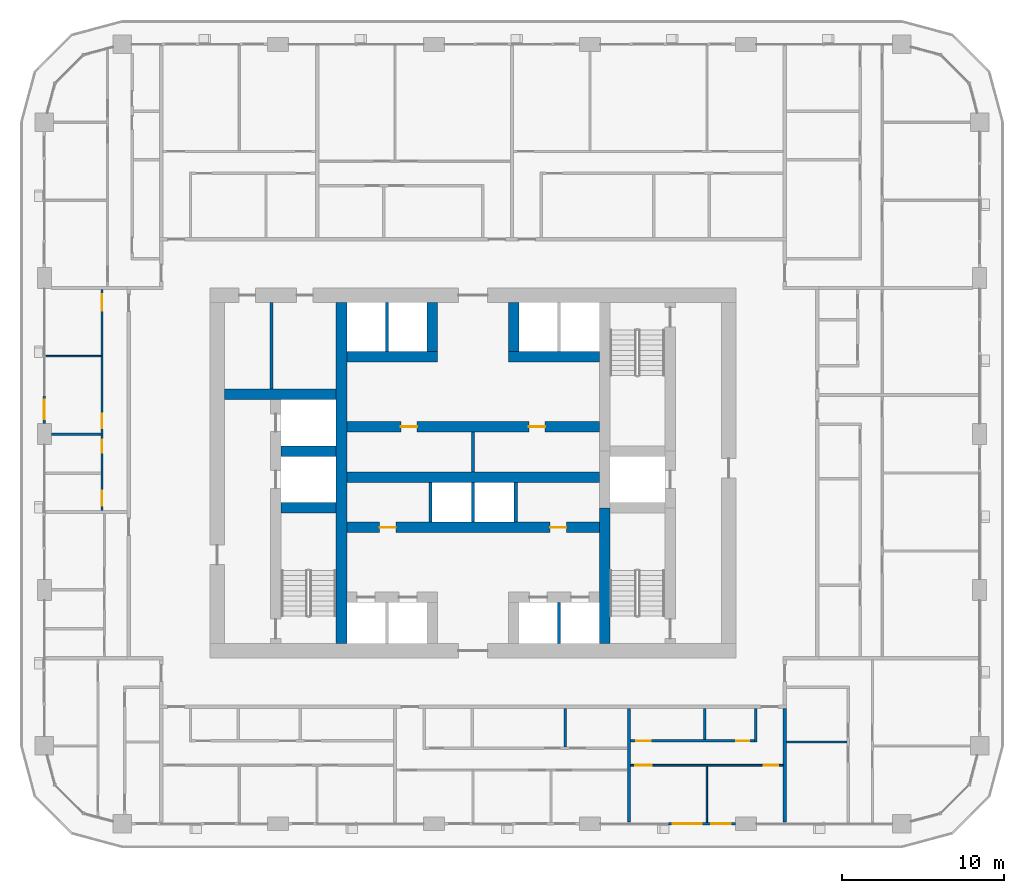
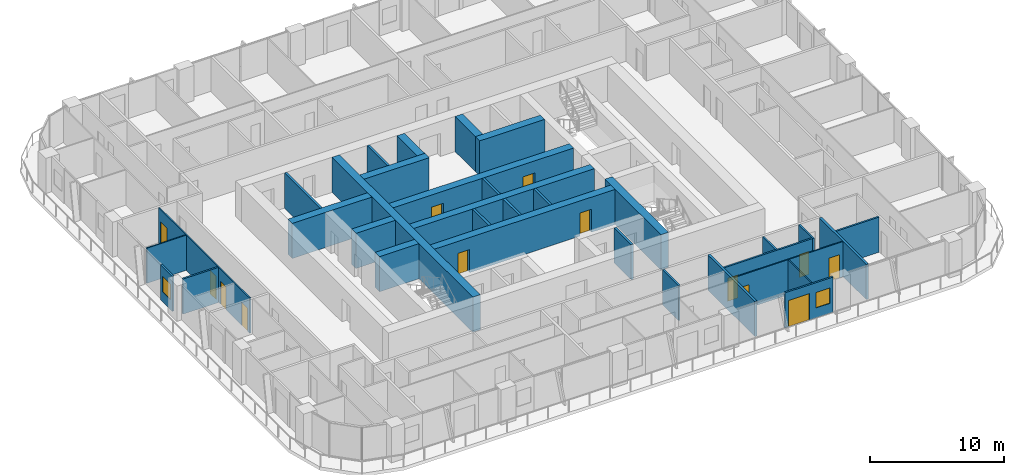
# One storey, part 11 of 21: 33 walls, 13 doors, 2 windows, 15 openings.
"""IFC4 building model written with IfcOpenShell, lengths in metres."""

from ifc_helpers import new_model, si_unit, direction, frame, frame_2d, origin, place, context, subcontext, project, spatial, rectangle, extrude, material, layer, layer_set, type_object, element, fill, save


model = new_model("IFC4")

# Units and contexts
model_context = context("Model", 3, precision=1e-05, world=origin(), true_north=direction((0.0, 1.0)))
body_context = subcontext(model_context, "Body", "Model", "MODEL_VIEW")
ifc_project = project(units=[si_unit("LENGTHUNIT", "METRE"), si_unit("AREAUNIT", "SQUARE_METRE"), si_unit("VOLUMEUNIT", "CUBIC_METRE"), si_unit("PLANEANGLEUNIT", "RADIAN"), si_unit("MASSUNIT", "GRAM", prefix="KILO")], contexts=[model_context])

# Site, building, storey
site_placement = place(None, origin())
site = spatial("IfcSite", under=ifc_project, at=site_placement, CompositionType="ELEMENT")
building_placement = place(site_placement, origin())
building = spatial("IfcBuilding", under=site, at=building_placement, Name="Madar Terraces", CompositionType="ELEMENT")
storey_placement = place(building_placement, frame((0.0, 0.0, 106.699951171875)))
storey = spatial("IfcBuildingStorey", under=building, at=storey_placement, Name="L27", CompositionType="ELEMENT", Elevation=106.699951171875)

# Walls
ifc_material_1 = material(Name="Concrete C80/95", Category="concrete")
ifc_layer_1 = layer(ifc_material_1, 0.64990234375)
ifc_layer_set_1 = layer_set([ifc_layer_1], Name="Concrete C80/95 (CIW2 RC wall 650)")
wall_type_1 = type_object("IfcWallType", Name="CIW2 RC wall 650", PredefinedType="SHEAR", material=ifc_layer_set_1)
wall_1_placement = place(storey_placement, frame((23.10009765625, 15.89990234375, 0.0), z_axis=(0.0, 0.0, 1.0), x_axis=(0.0, 1.0, 0.0)))
element("IfcWall", 1, at=wall_1_placement, inside=storey, type_object=wall_type_1, Name="CORE SHAFT WALL", PredefinedType="SHEAR", context=body_context, shape_type="SweptSolid", body=[
    extrude(rectangle(XDim=21.0, YDim=0.64990234375, at=frame_2d((10.5, 0.0))), origin(), (0.0, 0.0, 1.0), 3.199951171875),
])
wall_2_placement = place(storey_placement, frame((39.300048828125, 15.89990234375, 0.0), z_axis=(0.0, 0.0, 1.0), x_axis=(0.0, 1.0, 0.0)))
element("IfcWall", 2, at=wall_2_placement, inside=storey, type_object=wall_type_1, Name="CORE SHAFT WALL", PredefinedType="SHEAR", context=body_context, shape_type="SweptSolid", body=[
    extrude(rectangle(XDim=8.35009765625, YDim=0.64990234375, at=frame_2d((4.175048828125, 0.0))), origin(), (0.0, 0.0, 1.0), 3.199951171875),
])
for number, where, z_axis, x_axis, name in (
    (3, (19.375, 24.25, 0.0), (0.0, 0.0, 1.0), (1.0, 0.0, 0.0), "CORE SHAFT WALL"),
    (4, (19.375, 27.75, 0.0), (0.0, 0.0, 1.0), (1.0, 0.0, 0.0), "CORE SHAFT WALL"),
):
    element("IfcWall", number, at=place(storey_placement, frame(where, z_axis=z_axis, x_axis=x_axis)), inside=storey, type_object=wall_type_1, Name=name, PredefinedType="SHEAR", context=body_context, shape_type="SweptSolid", body=[
        extrude(rectangle(XDim=3.39990234375, YDim=0.64990234375, at=frame_2d((1.699951171875, 0.0))), origin(), (0.0, 0.0, 1.0), 3.199951171875),
    ])
wall_3_placement = place(storey_placement, frame((15.89990234375, 31.25, 0.0), z_axis=(0.0, 0.0, 1.0), x_axis=(1.0, 0.0, 0.0)))
element("IfcWall", 5, at=wall_3_placement, inside=storey, type_object=wall_type_1, Name="CORE SHAFT WALL", PredefinedType="SHEAR", context=body_context, shape_type="SweptSolid", body=[
    extrude(rectangle(XDim=6.875, YDim=0.64990234375, at=frame_2d((3.4375, 0.0))), origin(), (0.0, 0.0, 1.0), 3.199951171875),
])

# Wall, openings, doors
wall_4_placement = place(storey_placement, frame((23.425048828125, 23.050048828125, 0.0), z_axis=(0.0, 0.0, 1.0), x_axis=(1.0, 0.0, 0.0)))
wall_4 = element("IfcWall", 6, at=wall_4_placement, inside=storey, type_object=wall_type_1, Name="CORE SHAFT WALL", PredefinedType="SHEAR", context=body_context, shape_type="SweptSolid", body=[
    extrude(rectangle(XDim=15.550048828125, YDim=0.64990234375, at=frame_2d((7.77490234375, 0.0))), origin(), (0.0, 0.0, 1.0), 3.199951171875),
])
opening_1_placement = place(wall_4_placement, frame((2.02490234375, 0.0, 0.0)))
opening_1 = element("IfcOpeningElement", 7, at=opening_1_placement, cuts=wall_4, Name="Opening KD2", PredefinedType="OPENING", context=body_context, shape_type="SweptSolid", body=[
    extrude(rectangle(XDim=1.0, YDim=2.10009765625, at=frame_2d((0.5, 1.050048828125))), frame((0.0, 0.3349609375, 0.0), z_axis=(0.0, -1.0, 0.0), x_axis=(1.0, 0.0, 0.0)), (0.0, 0.0, 1.0), 0.669921875),
])
opening_2_placement = place(wall_4_placement, frame((12.52490234375, 0.0, 0.0)))
opening_2 = element("IfcOpeningElement", 8, at=opening_2_placement, cuts=wall_4, Name="Opening KD2", PredefinedType="OPENING", context=body_context, shape_type="SweptSolid", body=[
    extrude(rectangle(XDim=1.0, YDim=2.10009765625, at=frame_2d((0.5, 1.050048828125))), frame((0.0, 0.3349609375, 0.0), z_axis=(0.0, -1.0, 0.0), x_axis=(1.0, 0.0, 0.0)), (0.0, 0.0, 1.0), 0.669921875),
])
ifc_material_2 = material(Name="Steel door leaf", Category="steel")
door_type_1 = type_object("IfcDoorType", Name="Service room door 1000 x 2100", OperationType="NOTDEFINED", PredefinedType="DOOR", material=ifc_material_2)
door_1_placement = place(opening_1_placement, frame((1.0, 0.0, 0.0), z_axis=(0.0, 0.0, 1.0), x_axis=(-1.0, 0.0, 0.0)))
door_1 = element("IfcDoor", 9, at=door_1_placement, inside=storey, type_object=door_type_1, Name="SERVICE ROOM DOOR", OperationType="SINGLE_SWING_RIGHT", OverallHeight=2.10009765625, OverallWidth=1.0, PredefinedType="DOOR", context=body_context, shape_type="SweptSolid", body=[
    extrude(rectangle(XDim=1.0, YDim=2.10009765625, at=frame_2d((0.5, 1.050048828125))), frame((0.0, 0.02490234375, 0.0), z_axis=(0.0, -1.0, 0.0), x_axis=(1.0, 0.0, 0.0)), (0.0, 0.0, 1.0), 0.050048828125),
])
fill(opening_1, door_1)
door_2_placement = place(opening_2_placement, frame((1.0, 0.0, 0.0), z_axis=(0.0, 0.0, 1.0), x_axis=(-1.0, 0.0, 0.0)))
door_2 = element("IfcDoor", 10, at=door_2_placement, inside=storey, type_object=door_type_1, Name="SERVICE ROOM DOOR", OperationType="SINGLE_SWING_LEFT", OverallHeight=2.10009765625, OverallWidth=1.0, PredefinedType="DOOR", context=body_context, shape_type="SweptSolid", body=[
    extrude(rectangle(XDim=1.0, YDim=2.10009765625, at=frame_2d((0.5, 1.050048828125))), frame((0.0, 0.02490234375, 0.0), z_axis=(0.0, -1.0, 0.0), x_axis=(1.0, 0.0, 0.0)), (0.0, 0.0, 1.0), 0.050048828125),
])
fill(opening_2, door_2)

# Wall
wall_5_placement = place(storey_placement, frame((23.425048828125, 26.14990234375, 0.0), z_axis=(0.0, 0.0, 1.0), x_axis=(1.0, 0.0, 0.0)))
element("IfcWall", 11, at=wall_5_placement, inside=storey, type_object=wall_type_1, Name="CORE SHAFT WALL", PredefinedType="SHEAR", context=body_context, shape_type="SweptSolid", body=[
    extrude(rectangle(XDim=15.550048828125, YDim=0.64990234375, at=frame_2d((7.77490234375, 0.0))), origin(), (0.0, 0.0, 1.0), 3.199951171875),
])

# Wall, openings, doors
wall_6_placement = place(storey_placement, frame((23.425048828125, 29.25, 0.0), z_axis=(0.0, 0.0, 1.0), x_axis=(1.0, 0.0, 0.0)))
wall_6 = element("IfcWall", 12, at=wall_6_placement, inside=storey, type_object=wall_type_1, Name="CORE SHAFT WALL", PredefinedType="SHEAR", context=body_context, shape_type="SweptSolid", body=[
    extrude(rectangle(XDim=15.550048828125, YDim=0.64990234375, at=frame_2d((7.77490234375, 0.0))), origin(), (0.0, 0.0, 1.0), 3.199951171875),
])
opening_3_placement = place(wall_6_placement, frame((3.33740234375, 0.0, 0.0)))
opening_3 = element("IfcOpeningElement", 13, at=opening_3_placement, cuts=wall_6, Name="Opening KD2", PredefinedType="OPENING", context=body_context, shape_type="SweptSolid", body=[
    extrude(rectangle(XDim=1.0, YDim=2.10009765625, at=frame_2d((0.5, 1.050048828125))), frame((0.0, 0.3349609375, 0.0), z_axis=(0.0, -1.0, 0.0), x_axis=(1.0, 0.0, 0.0)), (0.0, 0.0, 1.0), 0.669921875),
])
opening_4_placement = place(wall_6_placement, frame((11.21240234375, 0.0, 0.0)))
opening_4 = element("IfcOpeningElement", 14, at=opening_4_placement, cuts=wall_6, Name="Opening KD2", PredefinedType="OPENING", context=body_context, shape_type="SweptSolid", body=[
    extrude(rectangle(XDim=1.0, YDim=2.10009765625, at=frame_2d((0.5, 1.050048828125))), frame((0.0, 0.3349609375, 0.0), z_axis=(0.0, -1.0, 0.0), x_axis=(1.0, 0.0, 0.0)), (0.0, 0.0, 1.0), 0.669921875),
])
door_3_placement = place(opening_3_placement, origin())
door_3 = element("IfcDoor", 15, at=door_3_placement, inside=storey, type_object=door_type_1, Name="SERVICE ROOM DOOR", OperationType="SINGLE_SWING_RIGHT", OverallHeight=2.10009765625, OverallWidth=1.0, PredefinedType="DOOR", context=body_context, shape_type="SweptSolid", body=[
    extrude(rectangle(XDim=1.0, YDim=2.10009765625, at=frame_2d((0.5, 1.050048828125))), frame((0.0, 0.02490234375, 0.0), z_axis=(0.0, -1.0, 0.0), x_axis=(1.0, 0.0, 0.0)), (0.0, 0.0, 1.0), 0.050048828125),
])
fill(opening_3, door_3)
door_4_placement = place(opening_4_placement, origin())
door_4 = element("IfcDoor", 16, at=door_4_placement, inside=storey, type_object=door_type_1, Name="SERVICE ROOM DOOR", OperationType="SINGLE_SWING_LEFT", OverallHeight=2.10009765625, OverallWidth=1.0, PredefinedType="DOOR", context=body_context, shape_type="SweptSolid", body=[
    extrude(rectangle(XDim=1.0, YDim=2.10009765625, at=frame_2d((0.5, 1.050048828125))), frame((0.0, 0.02490234375, 0.0), z_axis=(0.0, -1.0, 0.0), x_axis=(1.0, 0.0, 0.0)), (0.0, 0.0, 1.0), 0.050048828125),
])
fill(opening_4, door_4)

# Walls
wall_7_placement = place(storey_placement, frame((23.425048828125, 33.550048828125, 0.0), z_axis=(0.0, 0.0, 1.0), x_axis=(1.0, 0.0, 0.0)))
element("IfcWall", 17, at=wall_7_placement, inside=storey, type_object=wall_type_1, Name="CORE SHAFT WALL", PredefinedType="SHEAR", context=body_context, shape_type="SweptSolid", body=[
    extrude(rectangle(XDim=5.599853515625, YDim=0.64990234375, at=frame_2d((2.7998046875, 0.0))), origin(), (0.0, 0.0, 1.0), 3.199951171875),
])
wall_8_placement = place(storey_placement, frame((33.375, 33.550048828125, 0.0), z_axis=(0.0, 0.0, 1.0), x_axis=(1.0, 0.0, 0.0)))
element("IfcWall", 18, at=wall_8_placement, inside=storey, type_object=wall_type_1, Name="CORE SHAFT WALL", PredefinedType="SHEAR", context=body_context, shape_type="SweptSolid", body=[
    extrude(rectangle(XDim=5.60009765625, YDim=0.64990234375, at=frame_2d((2.800048828125, 0.0))), origin(), (0.0, 0.0, 1.0), 3.199951171875),
])
for number, where, z_axis, x_axis, name in (
    (19, (28.699951171875, 33.875, 0.0), (0.0, 0.0, 1.0), (0.0, 1.0, 0.0), "CORE SHAFT WALL"),
    (20, (33.699951171875, 33.875, 0.0), (0.0, 0.0, 1.0), (0.0, 1.0, 0.0), "CORE SHAFT WALL"),
):
    element("IfcWall", number, at=place(storey_placement, frame(where, z_axis=z_axis, x_axis=x_axis)), inside=storey, type_object=wall_type_1, Name=name, PredefinedType="SHEAR", context=body_context, shape_type="SweptSolid", body=[
        extrude(rectangle(XDim=3.02490234375, YDim=0.64990234375, at=frame_2d((1.512451171875, 0.0))), origin(), (0.0, 0.0, 1.0), 3.199951171875),
    ])
ifc_material_3 = material(Name="Masonry blockwork", Category="masonry")
ifc_layer_2 = layer(ifc_material_3, 0.199951171875)
ifc_layer_set_2 = layer_set([ifc_layer_2], Name="Core partition 200 blockwork")
wall_type_2 = type_object("IfcWallType", Name="Core partition 200 blockwork", PredefinedType="PARTITIONING", material=ifc_layer_set_2)
wall_9_placement = place(storey_placement, frame((18.78759765625, 31.574951171875, 0.0), z_axis=(0.0, 0.0, 1.0), x_axis=(0.0, 1.0, 0.0)))
element("IfcWall", 21, at=wall_9_placement, inside=storey, type_object=wall_type_2, Name="SERVICE ROOM PARTITION", PredefinedType="PARTITIONING", context=body_context, shape_type="SweptSolid", body=[
    extrude(rectangle(XDim=5.324951171875, YDim=0.199951171875, at=frame_2d((2.66259765625, 0.0))), origin(), (0.0, 0.0, 1.0), 3.199951171875),
])
wall_10_placement = place(storey_placement, frame((31.199951171875, 26.47509765625, 0.0), z_axis=(0.0, 0.0, 1.0), x_axis=(0.0, 1.0, 0.0)))
element("IfcWall", 22, at=wall_10_placement, inside=storey, type_object=wall_type_2, Name="SERVICE ROOM PARTITION", PredefinedType="PARTITIONING", context=body_context, shape_type="SweptSolid", body=[
    extrude(rectangle(XDim=2.449951171875, YDim=0.199951171875, at=frame_2d((1.22509765625, 0.0))), origin(), (0.0, 0.0, 1.0), 3.199951171875),
])
ifc_material_4 = material(Name="Concrete C40/50", Category="concrete")
ifc_layer_3 = layer(ifc_material_4, 0.199951171875)
ifc_layer_set_3 = layer_set([ifc_layer_3], Name="Core shaft dividing wall 200 C40/50")
wall_type_3 = type_object("IfcWallType", Name="Core shaft dividing wall 200 C40/50", PredefinedType="SOLIDWALL", material=ifc_layer_set_3)
for number, where, z_axis, x_axis, name in (
    (23, (28.574951171875, 23.375, 0.0), (0.0, 0.0, 1.0), (0.0, 1.0, 0.0), "SHAFT DIVIDING WALL"),
    (24, (31.199951171875, 23.375, 0.0), (0.0, 0.0, 1.0), (0.0, 1.0, 0.0), "SHAFT DIVIDING WALL"),
    (25, (33.824951171875, 23.375, 0.0), (0.0, 0.0, 1.0), (0.0, 1.0, 0.0), "SHAFT DIVIDING WALL"),
):
    element("IfcWall", number, at=place(storey_placement, frame(where, z_axis=z_axis, x_axis=x_axis)), inside=storey, type_object=wall_type_3, Name=name, PredefinedType="SOLIDWALL", context=body_context, shape_type="SweptSolid", body=[
        extrude(rectangle(XDim=2.449951171875, YDim=0.199951171875, at=frame_2d((1.22509765625, 0.0))), origin(), (0.0, 0.0, 1.0), 3.199951171875),
    ])
wall_11_placement = place(storey_placement, frame((25.89990234375, 33.875, 0.0), z_axis=(0.0, 0.0, 1.0), x_axis=(0.0, 1.0, 0.0)))
element("IfcWall", 26, at=wall_11_placement, inside=storey, type_object=wall_type_3, Name="SHAFT DIVIDING WALL", PredefinedType="SOLIDWALL", context=body_context, shape_type="SweptSolid", body=[
    extrude(rectangle(XDim=3.02490234375, YDim=0.199951171875, at=frame_2d((1.512451171875, 0.0))), origin(), (0.0, 0.0, 1.0), 3.199951171875),
])
wall_12_placement = place(storey_placement, frame((36.5, 15.89990234375, 0.0), z_axis=(0.0, 0.0, 1.0), x_axis=(0.0, 1.0, 0.0)))
element("IfcWall", 27, at=wall_12_placement, inside=storey, type_object=wall_type_3, Name="SHAFT DIVIDING WALL", PredefinedType="SOLIDWALL", context=body_context, shape_type="SweptSolid", body=[
    extrude(rectangle(XDim=2.525146484375, YDim=0.199951171875, at=frame_2d((1.2626953125, 0.0))), origin(), (0.0, 0.0, 1.0), 3.199951171875),
])

# Wall, openings, door, window
ifc_material_5 = material(Name="Aluminium composite panel, black, over insulated backing", Category="aluminium")
ifc_layer_4 = layer(ifc_material_5, 0.14990234375)
ifc_layer_set_4 = layer_set([ifc_layer_4], Name="Facade bay panel 150")
wall_type_4 = type_object("IfcWallType", Name="Facade bay panel 150", PredefinedType="SOLIDWALL", material=ifc_layer_set_4)
wall_13_placement = place(storey_placement, frame((43.199951171875, 4.800048828125, 0.0), z_axis=(0.0, 0.0, 1.0), x_axis=(1.0, 0.0, 0.0)))
wall_13 = element("IfcWall", 28, at=wall_13_placement, inside=storey, type_object=wall_type_4, Name="Facade bay panel", PredefinedType="SOLIDWALL", context=body_context, shape_type="SweptSolid", body=[
    extrude(rectangle(XDim=4.150146484375, YDim=0.14990234375, at=frame_2d((2.0751953125, 0.0))), origin(), (0.0, 0.0, 1.0), 3.199951171875),
])
opening_5_placement = place(wall_13_placement, frame((0.300048828125, 0.0, 0.0)))
opening_5 = element("IfcOpeningElement", 29, at=opening_5_placement, cuts=wall_13, Name="Opening ED1", PredefinedType="OPENING", context=body_context, shape_type="SweptSolid", body=[
    extrude(rectangle(XDim=1.800048828125, YDim=2.39990234375, at=frame_2d((0.89990234375, 1.199951171875))), frame((0.0, 0.0849609375, 0.0), z_axis=(0.0, -1.0, 0.0), x_axis=(1.0, 0.0, 0.0)), (0.0, 0.0, 1.0), 0.169921875),
])
opening_6_placement = place(wall_13_placement, frame((2.675048828125, 0.0, 0.89990234375)))
opening_6 = element("IfcOpeningElement", 30, at=opening_6_placement, cuts=wall_13, Name="Opening W1", PredefinedType="OPENING", context=body_context, shape_type="SweptSolid", body=[
    extrude(rectangle(XDim=1.199951171875, YDim=1.39990234375, at=frame_2d((0.60009765625, 0.699951171875))), frame((0.0, 0.0849609375, 0.0), z_axis=(0.0, -1.0, 0.0), x_axis=(1.0, 0.0, 0.0)), (0.0, 0.0, 1.0), 0.169921875),
])
ifc_material_6 = material(Name="Glass, clear, with black aluminium frame", Category="aluminium")
door_type_2 = type_object("IfcDoorType", Name="Balcony and terrace sliding door 1800 x 2400", OperationType="SLIDING_TO_LEFT", PredefinedType="DOOR", material=ifc_material_6)
door_5_placement = place(opening_5_placement, origin())
door_5 = element("IfcDoor", 31, at=door_5_placement, inside=storey, type_object=door_type_2, Name="Balcony door", OperationType="SLIDING_TO_LEFT", OverallHeight=2.39990234375, OverallWidth=1.800048828125, PredefinedType="DOOR", context=body_context, shape_type="SweptSolid", body=[
    extrude(rectangle(XDim=1.800048828125, YDim=2.39990234375, at=frame_2d((0.89990234375, 1.199951171875))), frame((0.0, 0.02490234375, 0.0), z_axis=(0.0, -1.0, 0.0), x_axis=(1.0, 0.0, 0.0)), (0.0, 0.0, 1.0), 0.050048828125),
])
fill(opening_5, door_5)
ifc_material_7 = material(Name="Glass, clear, with black aluminium frame", Category="aluminium")
window_type = type_object("IfcWindowType", Name="Vent window 1200 x 1400", PartitioningType="SINGLE_PANEL", PredefinedType="WINDOW", material=ifc_material_7)
window_1_placement = place(opening_6_placement, origin())
window_1 = element("IfcWindow", 32, at=window_1_placement, inside=storey, type_object=window_type, Name="Operable vent window", OverallHeight=1.39990234375, OverallWidth=1.199951171875, PartitioningType="SINGLE_PANEL", PredefinedType="WINDOW", context=body_context, shape_type="SweptSolid", body=[
    extrude(rectangle(XDim=1.199951171875, YDim=1.39990234375, at=frame_2d((0.60009765625, 0.699951171875))), frame((0.0, 0.030029296875, 0.0), z_axis=(0.0, -1.0, 0.0), x_axis=(1.0, 0.0, 0.0)), (0.0, 0.0, 1.0), 0.06005859375),
])
fill(opening_6, window_1)

# Wall, opening, window
wall_14_placement = place(storey_placement, frame((4.800048828125, 31.199951171875, 0.0), z_axis=(0.0, 0.0, 1.0), x_axis=(0.0, -1.0, 0.0)))
wall_14 = element("IfcWall", 33, at=wall_14_placement, inside=storey, type_object=wall_type_4, Name="Facade bay panel", PredefinedType="SOLIDWALL", context=body_context, shape_type="SweptSolid", body=[
    extrude(rectangle(XDim=1.75, YDim=0.14990234375, at=frame_2d((0.875, 0.0))), origin(), (0.0, 0.0, 1.0), 3.199951171875),
])
opening_7_placement = place(wall_14_placement, frame((0.27490234375, 0.0, 0.89990234375)))
opening_7 = element("IfcOpeningElement", 34, at=opening_7_placement, cuts=wall_14, Name="Opening W1", PredefinedType="OPENING", context=body_context, shape_type="SweptSolid", body=[
    extrude(rectangle(XDim=1.199951171875, YDim=1.39990234375, at=frame_2d((0.60009765625, 0.699951171875))), frame((0.0, 0.0849609375, 0.0), z_axis=(0.0, -1.0, 0.0), x_axis=(1.0, 0.0, 0.0)), (0.0, 0.0, 1.0), 0.169921875),
])
window_2_placement = place(opening_7_placement, origin())
window_2 = element("IfcWindow", 35, at=window_2_placement, inside=storey, type_object=window_type, Name="Operable vent window", OverallHeight=1.39990234375, OverallWidth=1.199951171875, PartitioningType="SINGLE_PANEL", PredefinedType="WINDOW", context=body_context, shape_type="SweptSolid", body=[
    extrude(rectangle(XDim=1.199951171875, YDim=1.39990234375, at=frame_2d((0.60009765625, 0.699951171875))), frame((0.0, 0.030029296875, 0.0), z_axis=(0.0, -1.0, 0.0), x_axis=(1.0, 0.0, 0.0)), (0.0, 0.0, 1.0), 0.06005859375),
])
fill(opening_7, window_2)

# Wall
ifc_material_8 = material(Name="Gypsum board on steel studs", Category="steel")
ifc_layer_5 = layer(ifc_material_8, 0.10009765625)
ifc_layer_set_5 = layer_set([ifc_layer_5], Name="Flat partition 100")
wall_type_5 = type_object("IfcWallType", Name="Flat partition 100", PredefinedType="PARTITIONING", material=ifc_layer_set_5)
wall_15_placement = place(storey_placement, frame((45.60009765625, 8.35009765625, 0.0), z_axis=(0.0, 0.0, 1.0), x_axis=(0.0, -1.0, 0.0)))
element("IfcWall", 36, at=wall_15_placement, inside=storey, type_object=wall_type_5, Name="Flat partition 100", PredefinedType="PARTITIONING", context=body_context, shape_type="SweptSolid", body=[
    extrude(rectangle(XDim=3.4501953125, YDim=0.10009765625, at=frame_2d((1.72509765625, 0.0))), origin(), (0.0, 0.0, 1.0), 3.199951171875),
])

# Wall, openings, doors
wall_16_placement = place(storey_placement, frame((50.300048828125, 8.39990234375, 0.0), z_axis=(0.0, 0.0, 1.0), x_axis=(-1.0, 0.0, 0.0)))
wall_16 = element("IfcWall", 37, at=wall_16_placement, inside=storey, type_object=wall_type_5, Name="Flat partition 100", PredefinedType="PARTITIONING", context=body_context, shape_type="SweptSolid", body=[
    extrude(rectangle(XDim=9.400146484375, YDim=0.10009765625, at=frame_2d((4.7001953125, 0.0))), origin(), (0.0, 0.0, 1.0), 3.199951171875),
])
opening_8_placement = place(wall_16_placement, frame((0.300048828125, 0.0, 0.0)))
opening_8 = element("IfcOpeningElement", 38, at=opening_8_placement, cuts=wall_16, Name="Opening D2", PredefinedType="OPENING", context=body_context, shape_type="SweptSolid", body=[
    extrude(rectangle(XDim=0.89990234375, YDim=2.10009765625, at=frame_2d((0.449951171875, 1.050048828125))), frame((0.0, 0.06005859375, 0.0), z_axis=(0.0, -1.0, 0.0), x_axis=(1.0, 0.0, 0.0)), (0.0, 0.0, 1.0), 0.1201171875),
])
opening_9_placement = place(wall_16_placement, frame((8.10009765625, 0.0, 0.0)))
opening_9 = element("IfcOpeningElement", 39, at=opening_9_placement, cuts=wall_16, Name="Opening D3", PredefinedType="OPENING", context=body_context, shape_type="SweptSolid", body=[
    extrude(rectangle(XDim=1.0, YDim=2.10009765625, at=frame_2d((0.5, 1.050048828125))), frame((0.0, 0.06005859375, 0.0), z_axis=(0.0, -1.0, 0.0), x_axis=(1.0, 0.0, 0.0)), (0.0, 0.0, 1.0), 0.1201171875),
])
ifc_material_9 = material(Name="Timber door leaf", Category="wood")
door_type_3 = type_object("IfcDoorType", Name="Flat living room door 1000", OperationType="NOTDEFINED", PredefinedType="DOOR", material=ifc_material_9)
door_6_placement = place(opening_9_placement, origin())
door_6 = element("IfcDoor", 40, at=door_6_placement, inside=storey, type_object=door_type_3, Name="Flat living room door 1000", OperationType="SINGLE_SWING_RIGHT", OverallHeight=2.10009765625, OverallWidth=1.0, PredefinedType="DOOR", context=body_context, shape_type="SweptSolid", body=[
    extrude(rectangle(XDim=1.0, YDim=2.10009765625, at=frame_2d((0.5, 1.050048828125))), frame((0.0, 0.02490234375, 0.0), z_axis=(0.0, -1.0, 0.0), x_axis=(1.0, 0.0, 0.0)), (0.0, 0.0, 1.0), 0.050048828125),
])
fill(opening_9, door_6)
ifc_material_10 = material(Name="Timber door leaf", Category="wood")
door_type_4 = type_object("IfcDoorType", Name="Flat room door 900", OperationType="NOTDEFINED", PredefinedType="DOOR", material=ifc_material_10)
door_7_placement = place(opening_8_placement, origin())
door_7 = element("IfcDoor", 41, at=door_7_placement, inside=storey, type_object=door_type_4, Name="Flat room door 900", OperationType="SINGLE_SWING_LEFT", OverallHeight=2.10009765625, OverallWidth=0.89990234375, PredefinedType="DOOR", context=body_context, shape_type="SweptSolid", body=[
    extrude(rectangle(XDim=0.89990234375, YDim=2.10009765625, at=frame_2d((0.449951171875, 1.050048828125))), frame((0.0, 0.02490234375, 0.0), z_axis=(0.0, -1.0, 0.0), x_axis=(1.0, 0.0, 0.0)), (0.0, 0.0, 1.0), 0.050048828125),
])
fill(opening_8, door_7)

# Wall
wall_17_placement = place(storey_placement, frame((8.300048828125, 33.60009765625, 0.0), z_axis=(0.0, 0.0, 1.0), x_axis=(-1.0, 0.0, 0.0)))
element("IfcWall", 42, at=wall_17_placement, inside=storey, type_object=wall_type_5, Name="Flat partition 100", PredefinedType="PARTITIONING", context=body_context, shape_type="SweptSolid", body=[
    extrude(rectangle(XDim=3.400146484375, YDim=0.10009765625, at=frame_2d((1.7001953125, 0.0))), origin(), (0.0, 0.0, 1.0), 3.199951171875),
])

# Wall, openings, doors
wall_18_placement = place(storey_placement, frame((8.35009765625, 24.10009765625, 0.0), z_axis=(0.0, 0.0, 1.0), x_axis=(0.0, 1.0, 0.0)))
wall_18 = element("IfcWall", 43, at=wall_18_placement, inside=storey, type_object=wall_type_5, Name="Flat partition 100", PredefinedType="PARTITIONING", context=body_context, shape_type="SweptSolid", body=[
    extrude(rectangle(XDim=13.599853515625, YDim=0.10009765625, at=frame_2d((6.7998046875, 0.0))), origin(), (0.0, 0.0, 1.0), 3.199951171875),
])
opening_10_placement = place(wall_18_placement, frame((12.300048828125, 0.0, 0.0)))
opening_10 = element("IfcOpeningElement", 44, at=opening_10_placement, cuts=wall_18, Name="Opening D3", PredefinedType="OPENING", context=body_context, shape_type="SweptSolid", body=[
    extrude(rectangle(XDim=1.0, YDim=2.10009765625, at=frame_2d((0.5, 1.050048828125))), frame((0.0, 0.06005859375, 0.0), z_axis=(0.0, -1.0, 0.0), x_axis=(1.0, 0.0, 0.0)), (0.0, 0.0, 1.0), 0.1201171875),
])
opening_11_placement = place(wall_18_placement, frame((5.050048828125, 0.0, 0.0)))
opening_11 = element("IfcOpeningElement", 45, at=opening_11_placement, cuts=wall_18, Name="Opening D2", PredefinedType="OPENING", context=body_context, shape_type="SweptSolid", body=[
    extrude(rectangle(XDim=0.89990234375, YDim=2.10009765625, at=frame_2d((0.449951171875, 1.050048828125))), frame((0.0, 0.06005859375, 0.0), z_axis=(0.0, -1.0, 0.0), x_axis=(1.0, 0.0, 0.0)), (0.0, 0.0, 1.0), 0.1201171875),
])
opening_12_placement = place(wall_18_placement, frame((3.550048828125, 0.0, 0.0)))
opening_12 = element("IfcOpeningElement", 46, at=opening_12_placement, cuts=wall_18, Name="Opening D4", PredefinedType="OPENING", context=body_context, shape_type="SweptSolid", body=[
    extrude(rectangle(XDim=0.800048828125, YDim=2.10009765625, at=frame_2d((0.39990234375, 1.050048828125))), frame((0.0, 0.06005859375, 0.0), z_axis=(0.0, -1.0, 0.0), x_axis=(1.0, 0.0, 0.0)), (0.0, 0.0, 1.0), 0.1201171875),
])
opening_13_placement = place(wall_18_placement, frame((0.300048828125, 0.0, 0.0)))
opening_13 = element("IfcOpeningElement", 47, at=opening_13_placement, cuts=wall_18, Name="Opening D2", PredefinedType="OPENING", context=body_context, shape_type="SweptSolid", body=[
    extrude(rectangle(XDim=0.89990234375, YDim=2.10009765625, at=frame_2d((0.449951171875, 1.050048828125))), frame((0.0, 0.06005859375, 0.0), z_axis=(0.0, -1.0, 0.0), x_axis=(1.0, 0.0, 0.0)), (0.0, 0.0, 1.0), 0.1201171875),
])
ifc_material_11 = material(Name="Timber door leaf", Category="wood")
door_type_5 = type_object("IfcDoorType", Name="Flat bathroom door 800", OperationType="NOTDEFINED", PredefinedType="DOOR", material=ifc_material_11)
door_8_placement = place(opening_12_placement, origin())
door_8 = element("IfcDoor", 48, at=door_8_placement, inside=storey, type_object=door_type_5, Name="Flat bathroom door 800", OperationType="SINGLE_SWING_RIGHT", OverallHeight=2.10009765625, OverallWidth=0.800048828125, PredefinedType="DOOR", context=body_context, shape_type="SweptSolid", body=[
    extrude(rectangle(XDim=0.800048828125, YDim=2.10009765625, at=frame_2d((0.39990234375, 1.050048828125))), frame((0.0, 0.02490234375, 0.0), z_axis=(0.0, -1.0, 0.0), x_axis=(1.0, 0.0, 0.0)), (0.0, 0.0, 1.0), 0.050048828125),
])
fill(opening_12, door_8)
door_9_placement = place(opening_10_placement, origin())
door_9 = element("IfcDoor", 49, at=door_9_placement, inside=storey, type_object=door_type_3, Name="Flat living room door 1000", OperationType="SINGLE_SWING_RIGHT", OverallHeight=2.10009765625, OverallWidth=1.0, PredefinedType="DOOR", context=body_context, shape_type="SweptSolid", body=[
    extrude(rectangle(XDim=1.0, YDim=2.10009765625, at=frame_2d((0.5, 1.050048828125))), frame((0.0, 0.02490234375, 0.0), z_axis=(0.0, -1.0, 0.0), x_axis=(1.0, 0.0, 0.0)), (0.0, 0.0, 1.0), 0.050048828125),
])
fill(opening_10, door_9)
door_10_placement = place(opening_11_placement, origin())
door_10 = element("IfcDoor", 50, at=door_10_placement, inside=storey, type_object=door_type_4, Name="Flat room door 900", OperationType="SINGLE_SWING_LEFT", OverallHeight=2.10009765625, OverallWidth=0.89990234375, PredefinedType="DOOR", context=body_context, shape_type="SweptSolid", body=[
    extrude(rectangle(XDim=0.89990234375, YDim=2.10009765625, at=frame_2d((0.449951171875, 1.050048828125))), frame((0.0, 0.02490234375, 0.0), z_axis=(0.0, -1.0, 0.0), x_axis=(1.0, 0.0, 0.0)), (0.0, 0.0, 1.0), 0.050048828125),
])
fill(opening_11, door_10)
door_11_placement = place(opening_13_placement, origin())
door_11 = element("IfcDoor", 51, at=door_11_placement, inside=storey, type_object=door_type_4, Name="Flat room door 900", OperationType="SINGLE_SWING_LEFT", OverallHeight=2.10009765625, OverallWidth=0.89990234375, PredefinedType="DOOR", context=body_context, shape_type="SweptSolid", body=[
    extrude(rectangle(XDim=0.89990234375, YDim=2.10009765625, at=frame_2d((0.449951171875, 1.050048828125))), frame((0.0, 0.02490234375, 0.0), z_axis=(0.0, -1.0, 0.0), x_axis=(1.0, 0.0, 0.0)), (0.0, 0.0, 1.0), 0.050048828125),
])
fill(opening_13, door_11)

# Walls
ifc_material_12 = material(Name="Lightweight blockwork", Category="masonry")
ifc_layer_6 = layer(ifc_material_12, 0.199951171875)
ifc_layer_set_6 = layer_set([ifc_layer_6], Name="Flat party and entrance wall 200")
wall_type_6 = type_object("IfcWallType", Name="Flat party and entrance wall 200", PredefinedType="PARTITIONING", material=ifc_layer_set_6)
for number, where, z_axis, x_axis, name in (
    (52, (40.800048828125, 11.89990234375, 0.0), (0.0, 0.0, 1.0), (0.0, -1.0, 0.0), "Flat party and entrance wall 200"),
    (53, (50.39990234375, 11.89990234375, 0.0), (0.0, 0.0, 1.0), (0.0, -1.0, 0.0), "Flat party and entrance wall 200"),
):
    element("IfcWall", number, at=place(storey_placement, frame(where, z_axis=z_axis, x_axis=x_axis)), inside=storey, type_object=wall_type_6, Name=name, PredefinedType="PARTITIONING", context=body_context, shape_type="SweptSolid", body=[
        extrude(rectangle(XDim=7.0, YDim=0.199951171875, at=frame_2d((3.5, 0.0))), origin(), (0.0, 0.0, 1.0), 3.199951171875),
    ])
ifc_material_13 = material(Name="Lightweight blockwork", Category="masonry")
ifc_layer_7 = layer(ifc_material_13, 0.14990234375)
ifc_layer_set_7 = layer_set([ifc_layer_7], Name="Flat wet-room partition 150")
wall_type_7 = type_object("IfcWallType", Name="Flat wet-room partition 150", PredefinedType="PARTITIONING", material=ifc_layer_set_7)
wall_19_placement = place(storey_placement, frame((36.876953125, 11.89990234375, 0.0), z_axis=(0.0, 0.0, 1.0), x_axis=(0.0, -1.0, 0.0)))
element("IfcWall", 54, at=wall_19_placement, inside=storey, type_object=wall_type_7, Name="Flat wet-room partition 150", PredefinedType="PARTITIONING", context=body_context, shape_type="SweptSolid", body=[
    extrude(rectangle(XDim=2.375, YDim=0.14990234375, at=frame_2d((1.1875, 0.0))), origin(), (0.0, 0.0, 1.0), 3.199951171875),
])
wall_20_placement = place(storey_placement, frame((45.47509765625, 11.89990234375, 0.0), z_axis=(0.0, 0.0, 1.0), x_axis=(0.0, -1.0, 0.0)))
element("IfcWall", 55, at=wall_20_placement, inside=storey, type_object=wall_type_7, Name="Flat wet-room partition 150", PredefinedType="PARTITIONING", context=body_context, shape_type="SweptSolid", body=[
    extrude(rectangle(XDim=1.9248046875, YDim=0.14990234375, at=frame_2d((0.96240234375, 0.0))), origin(), (0.0, 0.0, 1.0), 3.199951171875),
])
wall_21_placement = place(storey_placement, frame((48.60009765625, 11.89990234375, 0.0), z_axis=(0.0, 0.0, 1.0), x_axis=(0.0, -1.0, 0.0)))
element("IfcWall", 56, at=wall_21_placement, inside=storey, type_object=wall_type_7, Name="Flat wet-room partition 150", PredefinedType="PARTITIONING", context=body_context, shape_type="SweptSolid", body=[
    extrude(rectangle(XDim=2.074951171875, YDim=0.14990234375, at=frame_2d((1.03759765625, 0.0))), origin(), (0.0, 0.0, 1.0), 3.199951171875),
])

# Wall, openings, doors
wall_22_placement = place(storey_placement, frame((40.89990234375, 9.89990234375, 0.0), z_axis=(0.0, 0.0, 1.0), x_axis=(1.0, 0.0, 0.0)))
wall_22 = element("IfcWall", 57, at=wall_22_placement, inside=storey, type_object=wall_type_7, Name="Flat wet-room partition 150", PredefinedType="PARTITIONING", context=body_context, shape_type="SweptSolid", body=[
    extrude(rectangle(XDim=7.625, YDim=0.14990234375, at=frame_2d((3.8125, 0.0))), origin(), (0.0, 0.0, 1.0), 3.199951171875),
])
opening_14_placement = place(wall_22_placement, frame((6.52490234375, 0.0, 0.0)))
opening_14 = element("IfcOpeningElement", 58, at=opening_14_placement, cuts=wall_22, Name="Opening D4", PredefinedType="OPENING", context=body_context, shape_type="SweptSolid", body=[
    extrude(rectangle(XDim=0.800048828125, YDim=2.10009765625, at=frame_2d((0.39990234375, 1.050048828125))), frame((0.0, 0.0849609375, 0.0), z_axis=(0.0, -1.0, 0.0), x_axis=(1.0, 0.0, 0.0)), (0.0, 0.0, 1.0), 0.169921875),
])
opening_15_placement = place(wall_22_placement, frame((0.35009765625, 0.0, 0.0)))
opening_15 = element("IfcOpeningElement", 59, at=opening_15_placement, cuts=wall_22, Name="Opening D2", PredefinedType="OPENING", context=body_context, shape_type="SweptSolid", body=[
    extrude(rectangle(XDim=0.89990234375, YDim=2.10009765625, at=frame_2d((0.449951171875, 1.050048828125))), frame((0.0, 0.0849609375, 0.0), z_axis=(0.0, -1.0, 0.0), x_axis=(1.0, 0.0, 0.0)), (0.0, 0.0, 1.0), 0.169921875),
])
door_12_placement = place(opening_14_placement, origin())
door_12 = element("IfcDoor", 60, at=door_12_placement, inside=storey, type_object=door_type_5, Name="Flat bathroom door 800", OperationType="SINGLE_SWING_RIGHT", OverallHeight=2.10009765625, OverallWidth=0.800048828125, PredefinedType="DOOR", context=body_context, shape_type="SweptSolid", body=[
    extrude(rectangle(XDim=0.800048828125, YDim=2.10009765625, at=frame_2d((0.39990234375, 1.050048828125))), frame((0.0, 0.02490234375, 0.0), z_axis=(0.0, -1.0, 0.0), x_axis=(1.0, 0.0, 0.0)), (0.0, 0.0, 1.0), 0.050048828125),
])
fill(opening_14, door_12)
door_13_placement = place(opening_15_placement, origin())
door_13 = element("IfcDoor", 61, at=door_13_placement, inside=storey, type_object=door_type_4, Name="Flat room door 900", OperationType="SINGLE_SWING_LEFT", OverallHeight=2.10009765625, OverallWidth=0.89990234375, PredefinedType="DOOR", context=body_context, shape_type="SweptSolid", body=[
    extrude(rectangle(XDim=0.89990234375, YDim=2.10009765625, at=frame_2d((0.449951171875, 1.050048828125))), frame((0.0, 0.02490234375, 0.0), z_axis=(0.0, -1.0, 0.0), x_axis=(1.0, 0.0, 0.0)), (0.0, 0.0, 1.0), 0.050048828125),
])
fill(opening_15, door_13)

# Walls
wall_23_placement = place(storey_placement, frame((50.5, 9.8349609375, 0.0), z_axis=(0.0, 0.0, 1.0), x_axis=(1.0, 0.0, 0.0)))
element("IfcWall", 62, at=wall_23_placement, inside=storey, type_object=wall_type_7, Name="Flat wet-room partition 150", PredefinedType="PARTITIONING", context=body_context, shape_type="SweptSolid", body=[
    extrude(rectangle(XDim=3.72509765625, YDim=0.14990234375, at=frame_2d((1.862548828125, 0.0))), origin(), (0.0, 0.0, 1.0), 3.199951171875),
])
wall_24_placement = place(storey_placement, frame((8.27490234375, 28.800048828125, 0.0), z_axis=(0.0, 0.0, 1.0), x_axis=(-1.0, 0.0, 0.0)))
element("IfcWall", 63, at=wall_24_placement, inside=storey, type_object=wall_type_7, Name="Flat wet-room partition 150", PredefinedType="PARTITIONING", context=body_context, shape_type="SweptSolid", body=[
    extrude(rectangle(XDim=3.0498046875, YDim=0.14990234375, at=frame_2d((1.52490234375, 0.0))), origin(), (0.0, 0.0, 1.0), 3.199951171875),
])

save(model, "model.ifc")
